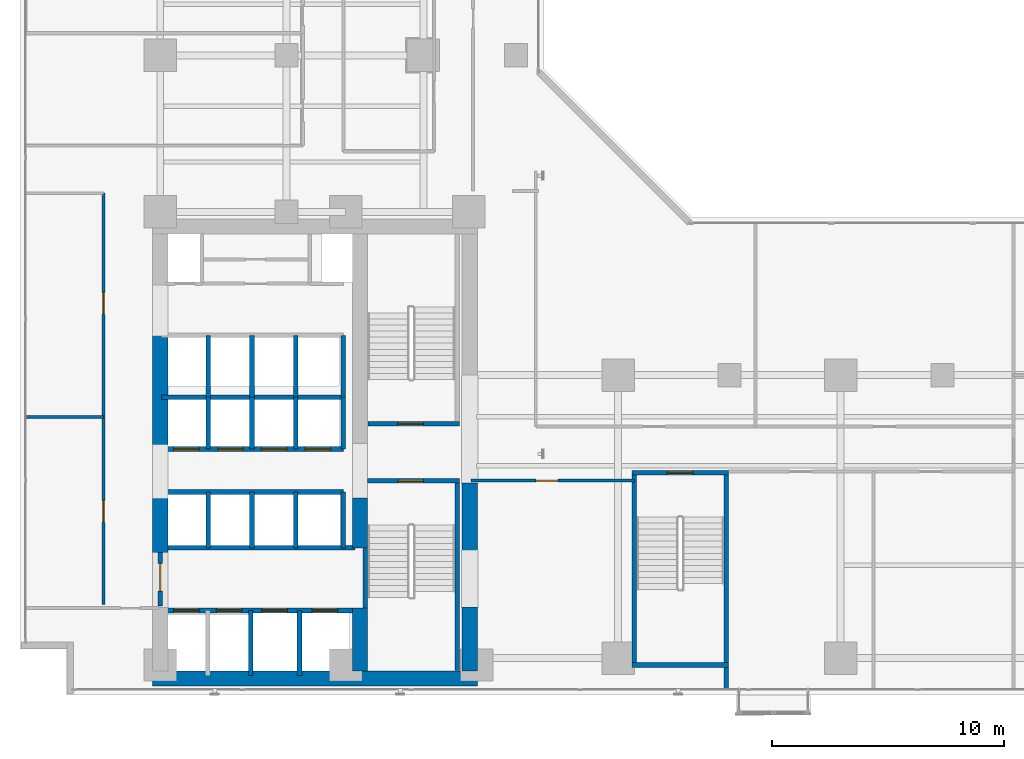
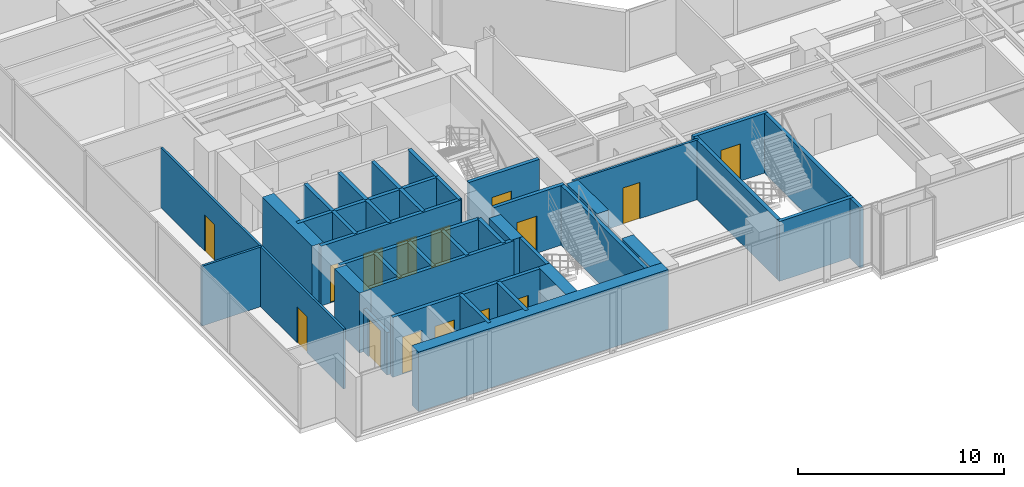
# One storey, part 21 of 28: 38 walls, 15 doors, 15 openings.
"""IFC4 building model written with IfcOpenShell, lengths in metres."""

from ifc_helpers import new_model, si_unit, direction, frame, frame_2d, origin, place, context, subcontext, project, spatial, rectangle, extrude, material, layer, layer_set, type_object, element, fill, save


model = new_model("IFC4")

# Units and contexts
model_context = context("Model", 3, precision=1e-05, world=origin(), true_north=direction((0.0, 1.0)))
body_context = subcontext(model_context, "Body", "Model", "MODEL_VIEW")
ifc_project = project(units=[si_unit("LENGTHUNIT", "METRE"), si_unit("AREAUNIT", "SQUARE_METRE"), si_unit("VOLUMEUNIT", "CUBIC_METRE"), si_unit("PLANEANGLEUNIT", "RADIAN"), si_unit("MASSUNIT", "GRAM", prefix="KILO")], contexts=[model_context])

# Site, building, storey
site_placement = place(None, origin())
site = spatial("IfcSite", under=ifc_project, at=site_placement, CompositionType="ELEMENT")
building_placement = place(site_placement, origin())
building = spatial("IfcBuilding", under=site, at=building_placement, Name="Kolvaren Waterfront Exchange", CompositionType="ELEMENT")
storey_placement = place(building_placement, frame((0.0, 0.0, 114.5)))
storey = spatial("IfcBuildingStorey", under=building, at=storey_placement, Name="L29", CompositionType="ELEMENT", Elevation=114.5)

# Wall, opening, door
ifc_material_1 = material(Name="Precast concrete C40/50", Category="concrete")
ifc_layer_1 = layer(ifc_material_1, 0.199951171875, Name="Precast concrete C40/50")
ifc_layer_set_1 = layer_set([ifc_layer_1], Name="Precast concrete C40/50")
wall_type_1 = type_object("IfcWallType", Name="ARC-FIRE-200", PredefinedType="PARTITIONING", material=ifc_layer_set_1)
wall_1_placement = place(storey_placement, frame((16.39990234375, 12.85009765625, 0.0), z_axis=(0.0, 0.0, 1.0), x_axis=(1.0, 0.0, 0.0)))
wall_1 = element("IfcWall", 1, at=wall_1_placement, inside=storey, type_object=wall_type_1, Name="L29 interior wall PW-L29-ST1-THROAT-S", PredefinedType="PARTITIONING", context=body_context, shape_type="SweptSolid", body=[
    extrude(rectangle(XDim=3.960205078125, YDim=0.199951171875, at=frame_2d((1.97998046875, 0.0))), origin(), (0.0, 0.0, 1.0), 3.5400390625),
])
opening_1_placement = place(wall_1_placement, frame((1.3037109375, 0.0, 0.0)))
opening_1 = element("IfcOpeningElement", 2, at=opening_1_placement, cuts=wall_1, Name="Opening FD2", PredefinedType="OPENING", context=body_context, shape_type="SweptSolid", body=[
    extrude(rectangle(XDim=1.10009765625, YDim=2.199951171875, at=frame_2d((0.550048828125, 1.10009765625))), frame((0.0, 0.10986328125, 0.0), z_axis=(0.0, -1.0, 0.0), x_axis=(1.0, 0.0, 0.0)), (0.0, 0.0, 1.0), 0.219970703125),
])
ifc_material_2 = material(Name="Pressed steel smoke-seal fire door", Category="steel")
door_type_1 = type_object("IfcDoorType", Name="ARC-FD-1100", OperationType="NOTDEFINED", PredefinedType="DOOR", material=ifc_material_2)
door_1_placement = place(opening_1_placement, frame((1.10009765625, 0.0, 0.0), z_axis=(0.0, 0.0, 1.0), x_axis=(-1.0, 0.0, 0.0)))
door_1 = element("IfcDoor", 3, at=door_1_placement, inside=storey, type_object=door_type_1, Name="L29 door DR-L29-ST1-IN (FD2)", OperationType="SINGLE_SWING_RIGHT", OverallHeight=2.199951171875, OverallWidth=1.10009765625, PredefinedType="DOOR", context=body_context, shape_type="SweptSolid", body=[
    extrude(rectangle(XDim=1.10009765625, YDim=2.199951171875, at=frame_2d((0.550048828125, 1.10009765625))), frame((0.0, 0.02490234375, 0.0), z_axis=(0.0, -1.0, 0.0), x_axis=(1.0, 0.0, 0.0)), (0.0, 0.0, 1.0), 0.050048828125),
])
fill(opening_1, door_1)

wall_2_placement = place(storey_placement, frame((16.409912109375, 15.300048828125, 0.0), z_axis=(0.0, 0.0, 1.0), x_axis=(1.0, 0.0, 0.0)))
wall_2 = element("IfcWall", 4, at=wall_2_placement, inside=storey, type_object=wall_type_1, Name="L29 interior wall PW-L29-ST2-THROAT-N", PredefinedType="PARTITIONING", context=body_context, shape_type="SweptSolid", body=[
    extrude(rectangle(XDim=3.9501953125, YDim=0.199951171875, at=frame_2d((1.97509765625, 0.0))), origin(), (0.0, 0.0, 1.0), 3.5400390625),
])
opening_2_placement = place(wall_2_placement, frame((1.293701171875, 0.0, 0.0)))
opening_2 = element("IfcOpeningElement", 5, at=opening_2_placement, cuts=wall_2, Name="Opening FD2", PredefinedType="OPENING", context=body_context, shape_type="SweptSolid", body=[
    extrude(rectangle(XDim=1.10009765625, YDim=2.199951171875, at=frame_2d((0.550048828125, 1.10009765625))), frame((0.0, 0.10986328125, 0.0), z_axis=(0.0, -1.0, 0.0), x_axis=(1.0, 0.0, 0.0)), (0.0, 0.0, 1.0), 0.219970703125),
])
door_2_placement = place(opening_2_placement, origin())
door_2 = element("IfcDoor", 6, at=door_2_placement, inside=storey, type_object=door_type_1, Name="L29 door DR-L29-ST2-IN (FD2)", OperationType="SINGLE_SWING_LEFT", OverallHeight=2.199951171875, OverallWidth=1.10009765625, PredefinedType="DOOR", context=body_context, shape_type="SweptSolid", body=[
    extrude(rectangle(XDim=1.10009765625, YDim=2.199951171875, at=frame_2d((0.550048828125, 1.10009765625))), frame((0.0, 0.02490234375, 0.0), z_axis=(0.0, -1.0, 0.0), x_axis=(1.0, 0.0, 0.0)), (0.0, 0.0, 1.0), 0.050048828125),
])
fill(opening_2, door_2)

# Wall
wall_3_placement = place(storey_placement, frame((7.5, 9.949951171875, 0.0), z_axis=(0.0, 0.0, 1.0), x_axis=(1.0, 0.0, 0.0)))
element("IfcWall", 7, at=wall_3_placement, inside=storey, type_object=wall_type_1, Name="L29 interior wall PW-L29-FF-N", PredefinedType="PARTITIONING", context=body_context, shape_type="SweptSolid", body=[
    extrude(rectangle(XDim=8.35009765625, YDim=0.199951171875, at=frame_2d((4.175048828125, 0.0))), origin(), (0.0, 0.0, 1.0), 3.5400390625),
])

# Wall, opening, door
wall_4_placement = place(storey_placement, frame((7.449951171875, 7.449951171875, 0.0), z_axis=(0.0, 0.0, 1.0), x_axis=(0.0, 1.0, 0.0)))
wall_4 = element("IfcWall", 8, at=wall_4_placement, inside=storey, type_object=wall_type_1, Name="L29 interior wall PW-L29-FF-W-DOOR", PredefinedType="PARTITIONING", context=body_context, shape_type="SweptSolid", body=[
    extrude(rectangle(XDim=2.300048828125, YDim=0.199951171875, at=frame_2d((1.14990234375, 0.0))), origin(), (0.0, 0.0, 1.0), 2.52001953125),
])
opening_3_placement = place(wall_4_placement, frame((0.63330078125, 0.0, 0.0)))
opening_3 = element("IfcOpeningElement", 9, at=opening_3_placement, cuts=wall_4, Name="Opening FD3", PredefinedType="OPENING", context=body_context, shape_type="SweptSolid", body=[
    extrude(rectangle(XDim=1.199951171875, YDim=2.25, at=frame_2d((0.60009765625, 1.125))), frame((0.0, 0.10986328125, 0.0), z_axis=(0.0, -1.0, 0.0), x_axis=(1.0, 0.0, 0.0)), (0.0, 0.0, 1.0), 0.219970703125),
])
ifc_material_3 = material(Name="Pressed steel fire door", Category="steel")
door_type_2 = type_object("IfcDoorType", Name="ARC-FD-1200", OperationType="NOTDEFINED", PredefinedType="DOOR", material=ifc_material_3)
door_3_placement = place(opening_3_placement, frame((1.199951171875, 0.0, 0.0), z_axis=(0.0, 0.0, 1.0), x_axis=(-1.0, 0.0, 0.0)))
door_3 = element("IfcDoor", 10, at=door_3_placement, inside=storey, type_object=door_type_2, Name="L29 door DR-L29-FF-OUT (FD3)", OperationType="SINGLE_SWING_LEFT", OverallHeight=2.25, OverallWidth=1.199951171875, PredefinedType="DOOR", context=body_context, shape_type="SweptSolid", body=[
    extrude(rectangle(XDim=1.199951171875, YDim=2.25, at=frame_2d((0.60009765625, 1.125))), frame((0.0, 0.02490234375, 0.0), z_axis=(0.0, -1.0, 0.0), x_axis=(1.0, 0.0, 0.0)), (0.0, 0.0, 1.0), 0.050048828125),
])
fill(opening_3, door_3)

# Wall, openings, doors
ifc_material_4 = material(Name="Acoustic gypsum steel stud", Category="steel")
ifc_layer_2 = layer(ifc_material_4, 0.125, Name="Acoustic gypsum steel stud")
ifc_layer_set_2 = layer_set([ifc_layer_2], Name="Acoustic gypsum steel stud")
wall_type_2 = type_object("IfcWallType", Name="ARC-PART-125", PredefinedType="PARTITIONING", material=ifc_layer_set_2)
wall_5_placement = place(storey_placement, frame((5.0, 7.5, 0.0), z_axis=(0.0, 0.0, 1.0), x_axis=(0.0, 1.0, 0.0)))
wall_5 = element("IfcWall", 11, at=wall_5_placement, inside=storey, type_object=wall_type_2, Name="L29 interior wall PW-L29-WFLANK-E", PredefinedType="PARTITIONING", context=body_context, shape_type="SweptSolid", body=[
    extrude(rectangle(XDim=17.75, YDim=0.125, at=frame_2d((8.875, 0.0))), origin(), (0.0, 0.0, 1.0), 3.5400390625),
])
opening_4_placement = place(wall_5_placement, frame((3.550048828125, 0.0, 0.0)))
opening_4 = element("IfcOpeningElement", 12, at=opening_4_placement, cuts=wall_5, Name="Opening D02", PredefinedType="OPENING", context=body_context, shape_type="SweptSolid", body=[
    extrude(rectangle(XDim=0.949951171875, YDim=2.14990234375, at=frame_2d((0.47509765625, 1.074951171875))), frame((0.0, 0.072509765625, 0.0), z_axis=(0.0, -1.0, 0.0), x_axis=(1.0, 0.0, 0.0)), (0.0, 0.0, 1.0), 0.14501953125),
])
opening_5_placement = place(wall_5_placement, frame((12.52099609375, 0.0, 0.0)))
opening_5 = element("IfcOpeningElement", 13, at=opening_5_placement, cuts=wall_5, Name="Opening D02", PredefinedType="OPENING", context=body_context, shape_type="SweptSolid", body=[
    extrude(rectangle(XDim=0.949951171875, YDim=2.14990234375, at=frame_2d((0.47509765625, 1.074951171875))), frame((0.0, 0.072509765625, 0.0), z_axis=(0.0, -1.0, 0.0), x_axis=(1.0, 0.0, 0.0)), (0.0, 0.0, 1.0), 0.14501953125),
])
ifc_material_5 = material(Name="Oak veneer acoustic timber", Category="wood")
door_type_3 = type_object("IfcDoorType", Name="ARC-DR-950", OperationType="NOTDEFINED", PredefinedType="DOOR", material=ifc_material_5)
door_4_placement = place(opening_4_placement, origin())
door_4 = element("IfcDoor", 14, at=door_4_placement, inside=storey, type_object=door_type_3, Name="L29 door DR-L29-WFL1-D (D02)", OperationType="SINGLE_SWING_LEFT", OverallHeight=2.14990234375, OverallWidth=0.949951171875, PredefinedType="DOOR", context=body_context, shape_type="SweptSolid", body=[
    extrude(rectangle(XDim=0.949951171875, YDim=2.14990234375, at=frame_2d((0.47509765625, 1.074951171875))), frame((0.0, 0.02490234375, 0.0), z_axis=(0.0, -1.0, 0.0), x_axis=(1.0, 0.0, 0.0)), (0.0, 0.0, 1.0), 0.050048828125),
])
fill(opening_4, door_4)
door_5_placement = place(opening_5_placement, origin())
door_5 = element("IfcDoor", 15, at=door_5_placement, inside=storey, type_object=door_type_3, Name="L29 door DR-L29-WFL2-D (D02)", OperationType="SINGLE_SWING_RIGHT", OverallHeight=2.14990234375, OverallWidth=0.949951171875, PredefinedType="DOOR", context=body_context, shape_type="SweptSolid", body=[
    extrude(rectangle(XDim=0.949951171875, YDim=2.14990234375, at=frame_2d((0.47509765625, 1.074951171875))), frame((0.0, 0.02490234375, 0.0), z_axis=(0.0, -1.0, 0.0), x_axis=(1.0, 0.0, 0.0)), (0.0, 0.0, 1.0), 0.050048828125),
])
fill(opening_5, door_5)

# Wall
wall_6_placement = place(storey_placement, frame((1.639892578125, 15.60009765625, 0.0), z_axis=(0.0, 0.0, 1.0), x_axis=(1.0, 0.0, 0.0)))
element("IfcWall", 16, at=wall_6_placement, inside=storey, type_object=wall_type_2, Name="L29 interior wall PW-L29-WFLANK-MID", PredefinedType="PARTITIONING", context=body_context, shape_type="SweptSolid", body=[
    extrude(rectangle(XDim=3.360107421875, YDim=0.125, at=frame_2d((1.68017578125, 0.0))), origin(), (0.0, 0.0, 1.0), 3.5400390625),
])

# Wall, opening, door
wall_7_placement = place(storey_placement, frame((20.85009765625, 12.85009765625, 0.0), z_axis=(0.0, 0.0, 1.0), x_axis=(1.0, 0.0, 0.0)))
wall_7 = element("IfcWall", 17, at=wall_7_placement, inside=storey, type_object=wall_type_2, Name="L29 interior wall PW-L29-SWST3-N", PredefinedType="PARTITIONING", context=body_context, shape_type="SweptSolid", body=[
    extrude(rectangle(XDim=7.0498046875, YDim=0.125, at=frame_2d((3.52490234375, 0.0))), origin(), (0.0, 0.0, 1.0), 3.5400390625),
])
opening_6_placement = place(wall_7_placement, frame((2.800048828125, 0.0, 0.0)))
opening_6 = element("IfcOpeningElement", 18, at=opening_6_placement, cuts=wall_7, Name="Opening D02", PredefinedType="OPENING", context=body_context, shape_type="SweptSolid", body=[
    extrude(rectangle(XDim=0.949951171875, YDim=2.14990234375, at=frame_2d((0.47509765625, 1.074951171875))), frame((0.0, 0.072509765625, 0.0), z_axis=(0.0, -1.0, 0.0), x_axis=(1.0, 0.0, 0.0)), (0.0, 0.0, 1.0), 0.14501953125),
])
door_6_placement = place(opening_6_placement, origin())
door_6 = element("IfcDoor", 19, at=door_6_placement, inside=storey, type_object=door_type_3, Name="L29 door DR-L29-SWST3-D (D02)", OperationType="SINGLE_SWING_LEFT", OverallHeight=2.14990234375, OverallWidth=0.949951171875, PredefinedType="DOOR", context=body_context, shape_type="SweptSolid", body=[
    extrude(rectangle(XDim=0.949951171875, YDim=2.14990234375, at=frame_2d((0.47509765625, 1.074951171875))), frame((0.0, 0.02490234375, 0.0), z_axis=(0.0, -1.0, 0.0), x_axis=(1.0, 0.0, 0.0)), (0.0, 0.0, 1.0), 0.050048828125),
])
fill(opening_6, door_6)

# Walls
ifc_material_6 = material(Name="Concrete C40/50", Category="concrete")
ifc_layer_3 = layer(ifc_material_6, 0.199951171875, Name="Concrete C40/50")
ifc_layer_set_3 = layer_set([ifc_layer_3], Name="Concrete C40/50")
wall_type_3 = type_object("IfcWallType", Name="ARC-SHAFT-200", PredefinedType="PARTITIONING", material=ifc_layer_set_3)
wall_8_placement = place(storey_placement, frame((16.300048828125, 7.360107421875, 0.0), z_axis=(0.0, 0.0, 1.0), x_axis=(0.0, 1.0, 0.0)))
element("IfcWall", 20, at=wall_8_placement, inside=storey, type_object=wall_type_3, Name="L29 structural stairwell wall PW-L29-ST1-W", PredefinedType="SHEAR", context=body_context, shape_type="SweptSolid", body=[
    extrude(rectangle(XDim=2.579833984375, YDim=0.199951171875, at=frame_2d((1.2900390625, 0.0))), origin(), (0.0, 0.0, 1.0), 3.5400390625),
])
wall_9_placement = place(storey_placement, frame((20.260009765625, 4.659912109375, 0.0), z_axis=(0.0, 0.0, 1.0), x_axis=(0.0, 1.0, 0.0)))
element("IfcWall", 21, at=wall_9_placement, inside=storey, type_object=wall_type_3, Name="L29 structural stairwell wall PW-L29-ST1-E", PredefinedType="SHEAR", context=body_context, shape_type="SweptSolid", body=[
    extrude(rectangle(XDim=8.090087890625, YDim=0.199951171875, at=frame_2d((4.044921875, 0.0))), origin(), (0.0, 0.0, 1.0), 3.5400390625),
])
wall_10_placement = place(storey_placement, frame((27.89990234375, 5.0, 0.0), z_axis=(0.0, 0.0, 1.0), x_axis=(0.0, 1.0, 0.0)))
element("IfcWall", 22, at=wall_10_placement, inside=storey, type_object=wall_type_3, Name="L29 structural stairwell wall PW-L29-ST3-W", PredefinedType="SHEAR", context=body_context, shape_type="SweptSolid", body=[
    extrude(rectangle(XDim=8.10009765625, YDim=0.199951171875, at=frame_2d((4.050048828125, 0.0))), origin(), (0.0, 0.0, 1.0), 3.5400390625),
])
wall_11_placement = place(storey_placement, frame((31.860107421875, 3.840087890625, 0.0), z_axis=(0.0, 0.0, 1.0), x_axis=(0.0, 1.0, 0.0)))
element("IfcWall", 23, at=wall_11_placement, inside=storey, type_object=wall_type_3, Name="L29 structural stairwell wall PW-L29-ST3-E", PredefinedType="SHEAR", context=body_context, shape_type="SweptSolid", body=[
    extrude(rectangle(XDim=9.409912109375, YDim=0.199951171875, at=frame_2d((4.705078125, 0.0))), origin(), (0.0, 0.0, 1.0), 3.5400390625),
])
wall_12_placement = place(storey_placement, frame((27.800048828125, 4.89990234375, 0.0), z_axis=(0.0, 0.0, 1.0), x_axis=(1.0, 0.0, 0.0)))
element("IfcWall", 24, at=wall_12_placement, inside=storey, type_object=wall_type_3, Name="L29 structural stairwell wall PW-L29-ST3-S", PredefinedType="SHEAR", context=body_context, shape_type="SweptSolid", body=[
    extrude(rectangle(XDim=4.159912109375, YDim=0.199951171875, at=frame_2d((2.080078125, 0.0))), origin(), (0.0, 0.0, 1.0), 3.5400390625),
])

# Wall, opening, door
wall_13_placement = place(storey_placement, frame((27.800048828125, 13.199951171875, 0.0), z_axis=(0.0, 0.0, 1.0), x_axis=(1.0, 0.0, 0.0)))
wall_13 = element("IfcWall", 25, at=wall_13_placement, inside=storey, type_object=wall_type_3, Name="L29 structural stairwell wall PW-L29-ST3-N", PredefinedType="SHEAR", context=body_context, shape_type="SweptSolid", body=[
    extrude(rectangle(XDim=4.159912109375, YDim=0.199951171875, at=frame_2d((2.080078125, 0.0))), origin(), (0.0, 0.0, 1.0), 3.5400390625),
])
opening_7_placement = place(wall_13_placement, frame((1.530029296875, 0.0, 0.0)))
opening_7 = element("IfcOpeningElement", 26, at=opening_7_placement, cuts=wall_13, Name="Opening FD2", PredefinedType="OPENING", context=body_context, shape_type="SweptSolid", body=[
    extrude(rectangle(XDim=1.10009765625, YDim=2.199951171875, at=frame_2d((0.550048828125, 1.10009765625))), frame((0.0, 0.10986328125, 0.0), z_axis=(0.0, -1.0, 0.0), x_axis=(1.0, 0.0, 0.0)), (0.0, 0.0, 1.0), 0.219970703125),
])
door_7_placement = place(opening_7_placement, frame((1.10009765625, 0.0, 0.0), z_axis=(0.0, 0.0, 1.0), x_axis=(-1.0, 0.0, 0.0)))
door_7 = element("IfcDoor", 27, at=door_7_placement, inside=storey, type_object=door_type_1, Name="L29 door DR-L29-ST3-IN (FD2)", OperationType="SINGLE_SWING_RIGHT", OverallHeight=2.199951171875, OverallWidth=1.10009765625, PredefinedType="DOOR", context=body_context, shape_type="SweptSolid", body=[
    extrude(rectangle(XDim=1.10009765625, YDim=2.199951171875, at=frame_2d((0.550048828125, 1.10009765625))), frame((0.0, 0.02490234375, 0.0), z_axis=(0.0, -1.0, 0.0), x_axis=(1.0, 0.0, 0.0)), (0.0, 0.0, 1.0), 0.050048828125),
])
fill(opening_7, door_7)

# Wall, openings, doors
wall_14_placement = place(storey_placement, frame((7.5, 7.25, 0.0), z_axis=(0.0, 0.0, 1.0), x_axis=(1.0, 0.0, 0.0)))
wall_14 = element("IfcWall", 28, at=wall_14_placement, inside=storey, type_object=wall_type_3, Name="L29 interior wall PW-L29-FF-S", PredefinedType="PARTITIONING", context=body_context, shape_type="SweptSolid", body=[
    extrude(rectangle(XDim=8.35009765625, YDim=0.199951171875, at=frame_2d((4.175048828125, 0.0))), origin(), (0.0, 0.0, 1.0), 3.5400390625),
])
opening_8_placement = place(wall_14_placement, frame((0.530029296875, 0.0, 0.0)))
opening_8 = element("IfcOpeningElement", 29, at=opening_8_placement, cuts=wall_14, Name="Opening LD1", PredefinedType="OPENING", context=body_context, shape_type="SweptSolid", body=[
    extrude(rectangle(XDim=1.10009765625, YDim=2.199951171875, at=frame_2d((0.550048828125, 1.10009765625))), frame((0.0, 0.10986328125, 0.0), z_axis=(0.0, -1.0, 0.0), x_axis=(1.0, 0.0, 0.0)), (0.0, 0.0, 1.0), 0.219970703125),
])
opening_9_placement = place(wall_14_placement, frame((2.3701171875, 0.0, 0.0)))
opening_9 = element("IfcOpeningElement", 30, at=opening_9_placement, cuts=wall_14, Name="Opening LD1", PredefinedType="OPENING", context=body_context, shape_type="SweptSolid", body=[
    extrude(rectangle(XDim=1.10009765625, YDim=2.199951171875, at=frame_2d((0.550048828125, 1.10009765625))), frame((0.0, 0.10986328125, 0.0), z_axis=(0.0, -1.0, 0.0), x_axis=(1.0, 0.0, 0.0)), (0.0, 0.0, 1.0), 0.219970703125),
])
opening_10_placement = place(wall_14_placement, frame((4.330078125, 0.0, 0.0)))
opening_10 = element("IfcOpeningElement", 31, at=opening_10_placement, cuts=wall_14, Name="Opening LD1", PredefinedType="OPENING", context=body_context, shape_type="SweptSolid", body=[
    extrude(rectangle(XDim=1.10009765625, YDim=2.199951171875, at=frame_2d((0.550048828125, 1.10009765625))), frame((0.0, 0.10986328125, 0.0), z_axis=(0.0, -1.0, 0.0), x_axis=(1.0, 0.0, 0.0)), (0.0, 0.0, 1.0), 0.219970703125),
])
opening_11_placement = place(wall_14_placement, frame((6.5, 0.0, 0.0)))
opening_11 = element("IfcOpeningElement", 32, at=opening_11_placement, cuts=wall_14, Name="Opening LD1", PredefinedType="OPENING", context=body_context, shape_type="SweptSolid", body=[
    extrude(rectangle(XDim=1.10009765625, YDim=2.199951171875, at=frame_2d((0.550048828125, 1.10009765625))), frame((0.0, 0.10986328125, 0.0), z_axis=(0.0, -1.0, 0.0), x_axis=(1.0, 0.0, 0.0)), (0.0, 0.0, 1.0), 0.219970703125),
])
ifc_material_7 = material(Name="Stainless steel sliding landing door", Category="steel")
door_type_4 = type_object("IfcDoorType", Name="ARC-LD-FF", OperationType="SLIDING_TO_LEFT", PredefinedType="DOOR", material=ifc_material_7)
door_8_placement = place(opening_8_placement, origin())
door_8 = element("IfcDoor", 33, at=door_8_placement, inside=storey, type_object=door_type_4, Name="L29 door LD-L29-FFL1 (LD1)", OperationType="SLIDING_TO_LEFT", OverallHeight=2.199951171875, OverallWidth=1.10009765625, PredefinedType="DOOR", context=body_context, shape_type="SweptSolid", body=[
    extrude(rectangle(XDim=1.10009765625, YDim=2.199951171875, at=frame_2d((0.550048828125, 1.10009765625))), frame((0.0, 0.02490234375, 0.0), z_axis=(0.0, -1.0, 0.0), x_axis=(1.0, 0.0, 0.0)), (0.0, 0.0, 1.0), 0.050048828125),
])
fill(opening_8, door_8)
door_9_placement = place(opening_9_placement, origin())
door_9 = element("IfcDoor", 34, at=door_9_placement, inside=storey, type_object=door_type_4, Name="L29 door LD-L29-FFL2 (LD1)", OperationType="SLIDING_TO_LEFT", OverallHeight=2.199951171875, OverallWidth=1.10009765625, PredefinedType="DOOR", context=body_context, shape_type="SweptSolid", body=[
    extrude(rectangle(XDim=1.10009765625, YDim=2.199951171875, at=frame_2d((0.550048828125, 1.10009765625))), frame((0.0, 0.02490234375, 0.0), z_axis=(0.0, -1.0, 0.0), x_axis=(1.0, 0.0, 0.0)), (0.0, 0.0, 1.0), 0.050048828125),
])
fill(opening_9, door_9)
door_10_placement = place(opening_10_placement, origin())
door_10 = element("IfcDoor", 35, at=door_10_placement, inside=storey, type_object=door_type_4, Name="L29 door LD-L29-GL1 (LD1)", OperationType="SLIDING_TO_LEFT", OverallHeight=2.199951171875, OverallWidth=1.10009765625, PredefinedType="DOOR", context=body_context, shape_type="SweptSolid", body=[
    extrude(rectangle(XDim=1.10009765625, YDim=2.199951171875, at=frame_2d((0.550048828125, 1.10009765625))), frame((0.0, 0.02490234375, 0.0), z_axis=(0.0, -1.0, 0.0), x_axis=(1.0, 0.0, 0.0)), (0.0, 0.0, 1.0), 0.050048828125),
])
fill(opening_10, door_10)
door_11_placement = place(opening_11_placement, origin())
door_11 = element("IfcDoor", 36, at=door_11_placement, inside=storey, type_object=door_type_4, Name="L29 door LD-L29-GL2 (LD1)", OperationType="SLIDING_TO_LEFT", OverallHeight=2.199951171875, OverallWidth=1.10009765625, PredefinedType="DOOR", context=body_context, shape_type="SweptSolid", body=[
    extrude(rectangle(XDim=1.10009765625, YDim=2.199951171875, at=frame_2d((0.550048828125, 1.10009765625))), frame((0.0, 0.02490234375, 0.0), z_axis=(0.0, -1.0, 0.0), x_axis=(1.0, 0.0, 0.0)), (0.0, 0.0, 1.0), 0.050048828125),
])
fill(opening_11, door_11)

# Walls
for number, where, z_axis, x_axis, name in (
    (37, (11.360107421875, 4.449951171875, 0.0), (0.0, 0.0, 1.0), (0.0, 1.0, 0.0), "L29 interior wall PW-L29-SH1-DIV-113"),
    (38, (13.4599609375, 4.449951171875, 0.0), (0.0, 0.0, 1.0), (0.0, 1.0, 0.0), "L29 interior wall PW-L29-SH1-DIV-134"),
):
    element("IfcWall", number, at=place(storey_placement, frame(where, z_axis=z_axis, x_axis=x_axis)), inside=storey, type_object=wall_type_3, Name=name, PredefinedType="PARTITIONING", context=body_context, shape_type="SweptSolid", body=[
        extrude(rectangle(XDim=2.800048828125, YDim=0.199951171875, at=frame_2d((1.39990234375, 0.0))), origin(), (0.0, 0.0, 1.0), 3.5400390625),
    ])
wall_15_placement = place(storey_placement, frame((7.5, 12.360107421875, 0.0), z_axis=(0.0, 0.0, 1.0), x_axis=(1.0, 0.0, 0.0)))
element("IfcWall", 39, at=wall_15_placement, inside=storey, type_object=wall_type_3, Name="L29 interior wall PW-L29-PL-N", PredefinedType="PARTITIONING", context=body_context, shape_type="SweptSolid", body=[
    extrude(rectangle(XDim=7.85009765625, YDim=0.199951171875, at=frame_2d((3.925048828125, 0.0))), origin(), (0.0, 0.0, 1.0), 3.5400390625),
])
for number, where, z_axis, x_axis, name in (
    (40, (15.35009765625, 9.949951171875, 0.0), (0.0, 0.0, 1.0), (0.0, 1.0, 0.0), "L29 interior wall PW-L29-PL-E"),
    (41, (9.52001953125, 9.949951171875, 0.0), (0.0, 0.0, 1.0), (0.0, 1.0, 0.0), "L29 interior wall PW-L29-SH2-DIV-95"),
    (42, (11.409912109375, 9.949951171875, 0.0), (0.0, 0.0, 1.0), (0.0, 1.0, 0.0), "L29 interior wall PW-L29-SH2-DIV-114"),
    (43, (13.300048828125, 9.949951171875, 0.0), (0.0, 0.0, 1.0), (0.0, 1.0, 0.0), "L29 interior wall PW-L29-SH2-DIV-133"),
):
    element("IfcWall", number, at=place(storey_placement, frame(where, z_axis=z_axis, x_axis=x_axis)), inside=storey, type_object=wall_type_3, Name=name, PredefinedType="PARTITIONING", context=body_context, shape_type="SweptSolid", body=[
        extrude(rectangle(XDim=2.41015625, YDim=0.199951171875, at=frame_2d((1.205078125, 0.0))), origin(), (0.0, 0.0, 1.0), 3.5400390625),
    ])

# Wall, openings, doors
wall_16_placement = place(storey_placement, frame((7.5, 14.219970703125, 0.0), z_axis=(0.0, 0.0, 1.0), x_axis=(1.0, 0.0, 0.0)))
wall_16 = element("IfcWall", 44, at=wall_16_placement, inside=storey, type_object=wall_type_3, Name="L29 interior wall PW-L29-PM-S", PredefinedType="PARTITIONING", context=body_context, shape_type="SweptSolid", body=[
    extrude(rectangle(XDim=7.85009765625, YDim=0.199951171875, at=frame_2d((3.925048828125, 0.0))), origin(), (0.0, 0.0, 1.0), 3.5400390625),
])
opening_12_placement = place(wall_16_placement, frame((0.530029296875, 0.0, 0.0)))
opening_12 = element("IfcOpeningElement", 45, at=opening_12_placement, cuts=wall_16, Name="Opening LD2", PredefinedType="OPENING", context=body_context, shape_type="SweptSolid", body=[
    extrude(rectangle(XDim=1.10009765625, YDim=2.199951171875, at=frame_2d((0.550048828125, 1.10009765625))), frame((0.0, 0.10986328125, 0.0), z_axis=(0.0, -1.0, 0.0), x_axis=(1.0, 0.0, 0.0)), (0.0, 0.0, 1.0), 0.219970703125),
])
opening_13_placement = place(wall_16_placement, frame((2.419921875, 0.0, 0.0)))
opening_13 = element("IfcOpeningElement", 46, at=opening_13_placement, cuts=wall_16, Name="Opening LD2", PredefinedType="OPENING", context=body_context, shape_type="SweptSolid", body=[
    extrude(rectangle(XDim=1.10009765625, YDim=2.199951171875, at=frame_2d((0.550048828125, 1.10009765625))), frame((0.0, 0.10986328125, 0.0), z_axis=(0.0, -1.0, 0.0), x_axis=(1.0, 0.0, 0.0)), (0.0, 0.0, 1.0), 0.219970703125),
])
opening_14_placement = place(wall_16_placement, frame((4.31005859375, 0.0, 0.0)))
opening_14 = element("IfcOpeningElement", 47, at=opening_14_placement, cuts=wall_16, Name="Opening LD2", PredefinedType="OPENING", context=body_context, shape_type="SweptSolid", body=[
    extrude(rectangle(XDim=1.10009765625, YDim=2.199951171875, at=frame_2d((0.550048828125, 1.10009765625))), frame((0.0, 0.10986328125, 0.0), z_axis=(0.0, -1.0, 0.0), x_axis=(1.0, 0.0, 0.0)), (0.0, 0.0, 1.0), 0.219970703125),
])
opening_15_placement = place(wall_16_placement, frame((6.199951171875, 0.0, 0.0)))
opening_15 = element("IfcOpeningElement", 48, at=opening_15_placement, cuts=wall_16, Name="Opening LD2", PredefinedType="OPENING", context=body_context, shape_type="SweptSolid", body=[
    extrude(rectangle(XDim=1.10009765625, YDim=2.199951171875, at=frame_2d((0.550048828125, 1.10009765625))), frame((0.0, 0.10986328125, 0.0), z_axis=(0.0, -1.0, 0.0), x_axis=(1.0, 0.0, 0.0)), (0.0, 0.0, 1.0), 0.219970703125),
])
ifc_material_8 = material(Name="Brushed bronze sliding landing door", Category="aluminium")
door_type_5 = type_object("IfcDoorType", Name="ARC-LD-PAX", OperationType="SLIDING_TO_LEFT", PredefinedType="DOOR", material=ifc_material_8)
door_12_placement = place(opening_12_placement, frame((1.10009765625, 0.0, 0.0), z_axis=(0.0, 0.0, 1.0), x_axis=(-1.0, 0.0, 0.0)))
door_12 = element("IfcDoor", 49, at=door_12_placement, inside=storey, type_object=door_type_5, Name="L29 door LD-L29-PM1 (LD2)", OperationType="SLIDING_TO_LEFT", OverallHeight=2.199951171875, OverallWidth=1.10009765625, PredefinedType="DOOR", context=body_context, shape_type="SweptSolid", body=[
    extrude(rectangle(XDim=1.10009765625, YDim=2.199951171875, at=frame_2d((0.550048828125, 1.10009765625))), frame((0.0, 0.02490234375, 0.0), z_axis=(0.0, -1.0, 0.0), x_axis=(1.0, 0.0, 0.0)), (0.0, 0.0, 1.0), 0.050048828125),
])
fill(opening_12, door_12)
door_13_placement = place(opening_13_placement, frame((1.10009765625, 0.0, 0.0), z_axis=(0.0, 0.0, 1.0), x_axis=(-1.0, 0.0, 0.0)))
door_13 = element("IfcDoor", 50, at=door_13_placement, inside=storey, type_object=door_type_5, Name="L29 door LD-L29-PM2 (LD2)", OperationType="SLIDING_TO_LEFT", OverallHeight=2.199951171875, OverallWidth=1.10009765625, PredefinedType="DOOR", context=body_context, shape_type="SweptSolid", body=[
    extrude(rectangle(XDim=1.10009765625, YDim=2.199951171875, at=frame_2d((0.550048828125, 1.10009765625))), frame((0.0, 0.02490234375, 0.0), z_axis=(0.0, -1.0, 0.0), x_axis=(1.0, 0.0, 0.0)), (0.0, 0.0, 1.0), 0.050048828125),
])
fill(opening_13, door_13)
door_14_placement = place(opening_14_placement, frame((1.10009765625, 0.0, 0.0), z_axis=(0.0, 0.0, 1.0), x_axis=(-1.0, 0.0, 0.0)))
door_14 = element("IfcDoor", 51, at=door_14_placement, inside=storey, type_object=door_type_5, Name="L29 door LD-L29-PM3 (LD2)", OperationType="SLIDING_TO_LEFT", OverallHeight=2.199951171875, OverallWidth=1.10009765625, PredefinedType="DOOR", context=body_context, shape_type="SweptSolid", body=[
    extrude(rectangle(XDim=1.10009765625, YDim=2.199951171875, at=frame_2d((0.550048828125, 1.10009765625))), frame((0.0, 0.02490234375, 0.0), z_axis=(0.0, -1.0, 0.0), x_axis=(1.0, 0.0, 0.0)), (0.0, 0.0, 1.0), 0.050048828125),
])
fill(opening_14, door_14)
door_15_placement = place(opening_15_placement, frame((1.10009765625, 0.0, 0.0), z_axis=(0.0, 0.0, 1.0), x_axis=(-1.0, 0.0, 0.0)))
door_15 = element("IfcDoor", 52, at=door_15_placement, inside=storey, type_object=door_type_5, Name="L29 door LD-L29-PM4 (LD2)", OperationType="SLIDING_TO_LEFT", OverallHeight=2.199951171875, OverallWidth=1.10009765625, PredefinedType="DOOR", context=body_context, shape_type="SweptSolid", body=[
    extrude(rectangle(XDim=1.10009765625, YDim=2.199951171875, at=frame_2d((0.550048828125, 1.10009765625))), frame((0.0, 0.02490234375, 0.0), z_axis=(0.0, -1.0, 0.0), x_axis=(1.0, 0.0, 0.0)), (0.0, 0.0, 1.0), 0.050048828125),
])
fill(opening_15, door_15)

# Walls
wall_17_placement = place(storey_placement, frame((7.5, 16.449951171875, 0.0), z_axis=(0.0, 0.0, 1.0), x_axis=(1.0, 0.0, 0.0)))
element("IfcWall", 53, at=wall_17_placement, inside=storey, type_object=wall_type_3, Name="L29 interior wall PW-L29-PM-N", PredefinedType="PARTITIONING", context=body_context, shape_type="SweptSolid", body=[
    extrude(rectangle(XDim=7.85009765625, YDim=0.199951171875, at=frame_2d((3.925048828125, 0.0))), origin(), (0.0, 0.0, 1.0), 3.5400390625),
])
for number, where, z_axis, x_axis, name in (
    (54, (15.35009765625, 14.219970703125, 0.0), (0.0, 0.0, 1.0), (0.0, 1.0, 0.0), "L29 interior wall PW-L29-PM-E"),
    (55, (9.52001953125, 14.219970703125, 0.0), (0.0, 0.0, 1.0), (0.0, 1.0, 0.0), "L29 interior wall PW-L29-SH3-DIV-95"),
    (56, (11.409912109375, 14.219970703125, 0.0), (0.0, 0.0, 1.0), (0.0, 1.0, 0.0), "L29 interior wall PW-L29-SH3-DIV-114"),
    (57, (13.300048828125, 14.219970703125, 0.0), (0.0, 0.0, 1.0), (0.0, 1.0, 0.0), "L29 interior wall PW-L29-SH3-DIV-133"),
):
    element("IfcWall", number, at=place(storey_placement, frame(where, z_axis=z_axis, x_axis=x_axis)), inside=storey, type_object=wall_type_3, Name=name, PredefinedType="PARTITIONING", context=body_context, shape_type="SweptSolid", body=[
        extrude(rectangle(XDim=2.22998046875, YDim=0.199951171875, at=frame_2d((1.114990234375, 0.0))), origin(), (0.0, 0.0, 1.0), 3.5400390625),
    ])
for number, where, z_axis, x_axis, name in (
    (58, (15.35009765625, 16.449951171875, 0.0), (0.0, 0.0, 1.0), (0.0, 1.0, 0.0), "L29 interior wall PW-L29-PH-E"),
    (59, (9.52001953125, 16.449951171875, 0.0), (0.0, 0.0, 1.0), (0.0, 1.0, 0.0), "L29 interior wall PW-L29-SH4-DIV-95"),
    (60, (11.409912109375, 16.449951171875, 0.0), (0.0, 0.0, 1.0), (0.0, 1.0, 0.0), "L29 interior wall PW-L29-SH4-DIV-114"),
    (61, (13.300048828125, 16.449951171875, 0.0), (0.0, 0.0, 1.0), (0.0, 1.0, 0.0), "L29 interior wall PW-L29-SH4-DIV-133"),
):
    element("IfcWall", number, at=place(storey_placement, frame(where, z_axis=z_axis, x_axis=x_axis)), inside=storey, type_object=wall_type_3, Name=name, PredefinedType="PARTITIONING", context=body_context, shape_type="SweptSolid", body=[
        extrude(rectangle(XDim=2.670166015625, YDim=0.199951171875, at=frame_2d((1.3349609375, 0.0))), origin(), (0.0, 0.0, 1.0), 3.5400390625),
    ])
ifc_material_9 = material(Name="Concrete C60/75", Category="concrete")
ifc_layer_4 = layer(ifc_material_9, 0.64990234375, Name="Concrete C60/75")
ifc_layer_set_4 = layer_set([ifc_layer_4], Name="Concrete C60/75")
wall_type_4 = type_object("IfcWallType", Name="STR-CWALL-650", PredefinedType="SHEAR", material=ifc_layer_set_4)
wall_18_placement = place(storey_placement, frame((7.125, 4.324951171875, 0.0), z_axis=(0.0, 0.0, 1.0), x_axis=(1.0, 0.0, 0.0)))
element("IfcWall", 62, at=wall_18_placement, inside=storey, type_object=wall_type_4, Name="L29 rear-core shear wall S", PredefinedType="SHEAR", context=body_context, shape_type="SweptSolid", body=[
    extrude(rectangle(XDim=14.0, YDim=0.64990234375, at=frame_2d((7.0, 0.0))), origin(), (0.0, 0.0, 1.0), 3.5400390625),
])
wall_19_placement = place(storey_placement, frame((7.449951171875, 9.75, 0.0), z_axis=(0.0, 0.0, 1.0), x_axis=(0.0, 1.0, 0.0)))
element("IfcWall", 63, at=wall_19_placement, inside=storey, type_object=wall_type_4, Name="L29 rear-core shear wall W2A", PredefinedType="SHEAR", context=body_context, shape_type="SweptSolid", body=[
    extrude(rectangle(XDim=2.39990234375, YDim=0.64990234375, at=frame_2d((1.199951171875, 0.0))), origin(), (0.0, 0.0, 1.0), 3.5400390625),
])
wall_20_placement = place(storey_placement, frame((7.449951171875, 14.35009765625, 0.0), z_axis=(0.0, 0.0, 1.0), x_axis=(0.0, 1.0, 0.0)))
element("IfcWall", 64, at=wall_20_placement, inside=storey, type_object=wall_type_4, Name="L29 rear-core shear wall W2B", PredefinedType="SHEAR", context=body_context, shape_type="SweptSolid", body=[
    extrude(rectangle(XDim=4.809814453125, YDim=0.64990234375, at=frame_2d((2.40478515625, 0.0))), origin(), (0.0, 0.0, 1.0), 3.5400390625),
])
wall_21_placement = place(storey_placement, frame((20.800048828125, 4.64990234375, 0.0), z_axis=(0.0, 0.0, 1.0), x_axis=(0.0, 1.0, 0.0)))
element("IfcWall", 65, at=wall_21_placement, inside=storey, type_object=wall_type_4, Name="L29 rear-core shear wall E1", PredefinedType="SHEAR", context=body_context, shape_type="SweptSolid", body=[
    extrude(rectangle(XDim=2.75, YDim=0.64990234375, at=frame_2d((1.375, 0.0))), origin(), (0.0, 0.0, 1.0), 3.5400390625),
])
wall_22_placement = place(storey_placement, frame((20.800048828125, 9.800048828125, 0.0), z_axis=(0.0, 0.0, 1.0), x_axis=(0.0, 1.0, 0.0)))
element("IfcWall", 66, at=wall_22_placement, inside=storey, type_object=wall_type_4, Name="L29 rear-core shear wall E2", PredefinedType="SHEAR", context=body_context, shape_type="SweptSolid", body=[
    extrude(rectangle(XDim=2.949951171875, YDim=0.64990234375, at=frame_2d((1.47509765625, 0.0))), origin(), (0.0, 0.0, 1.0), 3.5400390625),
])
wall_23_placement = place(storey_placement, frame((16.074951171875, 4.64990234375, 0.0), z_axis=(0.0, 0.0, 1.0), x_axis=(0.0, 1.0, 0.0)))
element("IfcWall", 67, at=wall_23_placement, inside=storey, type_object=wall_type_4, Name="L29 rear-core shear wall M1", PredefinedType="SHEAR", context=body_context, shape_type="SweptSolid", body=[
    extrude(rectangle(XDim=2.7001953125, YDim=0.64990234375, at=frame_2d((1.35009765625, 0.0))), origin(), (0.0, 0.0, 1.0), 3.5400390625),
])
wall_24_placement = place(storey_placement, frame((16.074951171875, 9.949951171875, 0.0), z_axis=(0.0, 0.0, 1.0), x_axis=(0.0, 1.0, 0.0)))
element("IfcWall", 68, at=wall_24_placement, inside=storey, type_object=wall_type_4, Name="L29 rear-core shear wall M2", PredefinedType="SHEAR", context=body_context, shape_type="SweptSolid", body=[
    extrude(rectangle(XDim=2.150146484375, YDim=0.64990234375, at=frame_2d((1.0751953125, 0.0))), origin(), (0.0, 0.0, 1.0), 3.5400390625),
])

save(model, "model.ifc")
